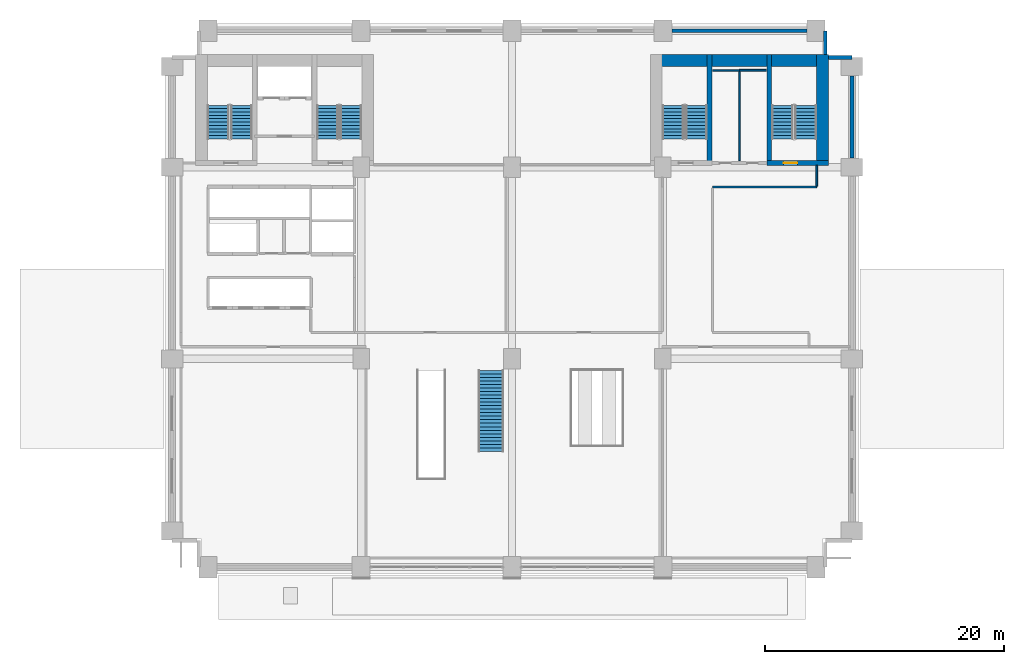
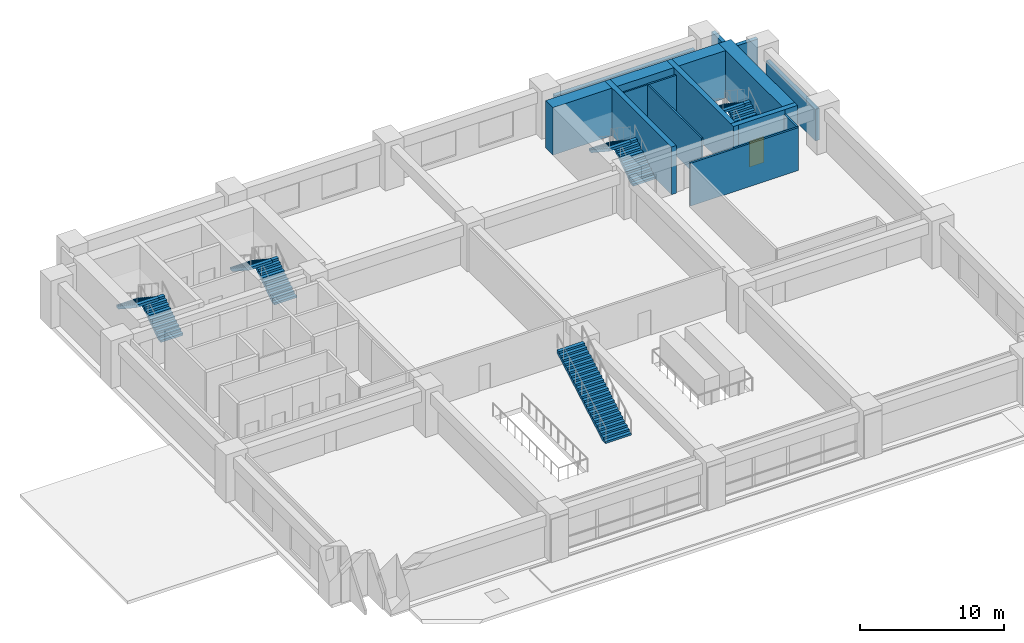
# One storey, part 7 of 11: 14 walls, 9 stair flights, 1 door, 1 opening, 5 elements without a shape of their own.
"""IFC4 building model written with IfcOpenShell, lengths in metres."""

from ifc_helpers import new_model, si_unit, direction, frame, frame_2d, origin, place, context, subcontext, project, spatial, polyline, rectangle, outline, extrude, material, layer, layer_set, type_object, element, fill, aggregate, save


model = new_model("IFC4")

# Units and contexts
model_context = context("Model", 3, precision=1e-05, world=origin(), true_north=direction((0.0, 1.0)))
body_context = subcontext(model_context, "Body", "Model", "MODEL_VIEW")
ifc_project = project(units=[si_unit("LENGTHUNIT", "METRE"), si_unit("AREAUNIT", "SQUARE_METRE"), si_unit("VOLUMEUNIT", "CUBIC_METRE"), si_unit("PLANEANGLEUNIT", "RADIAN"), si_unit("MASSUNIT", "GRAM", prefix="KILO")], contexts=[model_context])

# Site, building, storey
site_placement = place(None, origin())
site = spatial("IfcSite", under=ifc_project, at=site_placement, CompositionType="ELEMENT")
building_placement = place(site_placement, origin())
building = spatial("IfcBuilding", under=site, at=building_placement, Name="Sulina Concourse Tower", CompositionType="ELEMENT")
storey_placement = place(building_placement, frame((0.0, 0.0, 5.39990234375)))
storey = spatial("IfcBuildingStorey", under=building, at=storey_placement, Name="L01", CompositionType="ELEMENT", Elevation=5.39990234375)

# Walls
ifc_material_1 = material(Name="Gypsum board on steel stud", Category="steel")
ifc_layer_1 = layer(ifc_material_1, 0.14990234375)
ifc_layer_set_1 = layer_set([ifc_layer_1], Name="Gypsum board on steel stud")
wall_type_1 = type_object("IfcWallType", Name="Inter-Tenancy Acoustic Partition 150mm", PredefinedType="PARTITIONING", material=ifc_layer_set_1)
wall_1_placement = place(storey_placement, frame((45.75, 32.35009765625, 0.0), z_axis=(0.0, 0.0, 1.0), x_axis=(1.0, 0.0, 0.0)))
element("IfcWall", 1, at=wall_1_placement, inside=storey, type_object=wall_type_1, Name="L01 interior partition 014", PredefinedType="PARTITIONING", context=body_context, shape_type="SweptSolid", body=[
    extrude(rectangle(XDim=8.699951171875, YDim=0.14990234375, at=frame_2d((4.35009765625, 0.0))), origin(), (0.0, 0.0, 1.0), 3.650146484375),
])
wall_2_placement = place(storey_placement, frame((48.0, 42.10009765625, 0.0), z_axis=(0.0, 0.0, 1.0), x_axis=(1.0, 0.0, 0.0)))
element("IfcWall", 2, at=wall_2_placement, inside=storey, type_object=wall_type_1, Name="L01 interior partition 019", PredefinedType="PARTITIONING", context=body_context, shape_type="SweptSolid", body=[
    extrude(rectangle(XDim=2.25, YDim=0.14990234375, at=frame_2d((1.125, 0.0))), origin(), (0.0, 0.0, 1.0), 3.650146484375),
])
wall_3_placement = place(storey_placement, frame((54.449951171875, 32.425048828125, 0.0), z_axis=(0.0, 0.0, 1.0), x_axis=(0.0, 1.0, 0.0)))
element("IfcWall", 3, at=wall_3_placement, inside=storey, type_object=wall_type_1, Name="L01 interior partition 037", PredefinedType="PARTITIONING", context=body_context, shape_type="SweptSolid", body=[
    extrude(rectangle(XDim=1.724853515625, YDim=0.14990234375, at=frame_2d((0.8623046875, 0.0))), origin(), (0.0, 0.0, 1.0), 3.650146484375),
])
ifc_material_2 = material(Name="Precast concrete C50/60", Category="concrete")
ifc_layer_2 = layer(ifc_material_2, 0.320068359375)
ifc_layer_set_2 = layer_set([ifc_layer_2], Name="Precast concrete C50/60")
wall_type_2 = type_object("IfcWallType", Name="Lower Precast Masonry-Frame Facade Wall 320mm", PredefinedType="SOLIDWALL", material=ifc_layer_set_2)
wall_4_placement = place(storey_placement, frame((42.3701171875, 45.39990234375, 0.0), z_axis=(0.0, 0.0, 1.0), x_axis=(1.0, 0.0, 0.0)))
element("IfcWall", 4, at=wall_4_placement, inside=storey, type_object=wall_type_2, Name="L01 exterior precast wall N4", PredefinedType="SOLIDWALL", context=body_context, shape_type="SweptSolid", body=[
    extrude(rectangle(XDim=11.259765625, YDim=0.320068359375, at=frame_2d((5.6298828125, 0.0))), origin(), (0.0, 0.0, 1.0), 2.7001953125),
])
wall_5_placement = place(storey_placement, frame((57.39990234375, 41.6298828125, 0.0), z_axis=(0.0, 0.0, 1.0), x_axis=(0.0, -1.0, 0.0)))
element("IfcWall", 5, at=wall_5_placement, inside=storey, type_object=wall_type_2, Name="L01 exterior precast wall E3", PredefinedType="SOLIDWALL", context=body_context, shape_type="SweptSolid", body=[
    extrude(rectangle(XDim=6.85986328125, YDim=0.320068359375, at=frame_2d((3.429931640625, 0.0))), origin(), (0.0, 0.0, 1.0), 2.7001953125),
])
wall_6_placement = place(storey_placement, frame((55.169921875, 45.39990234375, 0.0), z_axis=(0.0, 0.0, 1.0), x_axis=(0.0, -1.0, 0.0)))
element("IfcWall", 6, at=wall_6_placement, inside=storey, type_object=wall_type_2, Name="L01 exterior precast wall CNE1", PredefinedType="SOLIDWALL", context=body_context, shape_type="SweptSolid", body=[
    extrude(rectangle(XDim=1.96484375, YDim=0.320068359375, at=frame_2d((0.982421875, 0.0))), origin(), (0.0, 0.0, 1.0), 3.650146484375),
])
wall_7_placement = place(storey_placement, frame((55.455078125, 43.169921875, 0.0), z_axis=(0.0, 0.0, 1.0), x_axis=(1.0, 0.0, 0.0)))
element("IfcWall", 7, at=wall_7_placement, inside=storey, type_object=wall_type_2, Name="L01 exterior precast wall CNE2", PredefinedType="SOLIDWALL", context=body_context, shape_type="SweptSolid", body=[
    extrude(rectangle(XDim=1.94482421875, YDim=0.320068359375, at=frame_2d((0.972412109375, 0.0))), origin(), (0.0, 0.0, 1.0), 3.650146484375),
])
ifc_material_3 = material(Name="Concrete C60/75", Category="concrete")
ifc_layer_3 = layer(ifc_material_3, 0.39990234375)
ifc_layer_set_3 = layer_set([ifc_layer_3], Name="Concrete C60/75")
wall_type_3 = type_object("IfcWallType", Name="Protected Stair Core Shear Wall 400mm", PredefinedType="SHEAR", material=ifc_layer_set_3)
wall_8_placement = place(storey_placement, frame((45.510009765625, 34.14990234375, 0.0), z_axis=(0.0, 0.0, 1.0), x_axis=(0.0, 1.0, 0.0)))
element("IfcWall", 8, at=wall_8_placement, inside=storey, type_object=wall_type_3, Name="L01 east core shear wall SW-ST3", PredefinedType="SHEAR", context=body_context, shape_type="SweptSolid", body=[
    extrude(rectangle(XDim=9.280029296875, YDim=0.39990234375, at=frame_2d((4.64013671875, 0.0))), origin(), (0.0, 0.0, 1.0), 4.050048828125),
])

# Wall, opening, door
wall_9_placement = place(storey_placement, frame((50.2900390625, 34.35009765625, 0.0), z_axis=(0.0, 0.0, 1.0), x_axis=(1.0, 0.0, 0.0)))
wall_9 = element("IfcWall", 9, at=wall_9_placement, inside=storey, type_object=wall_type_3, Name="L01 east core shear wall CW-ES2", PredefinedType="SHEAR", context=body_context, shape_type="SweptSolid", body=[
    extrude(rectangle(XDim=5.159912109375, YDim=0.39990234375, at=frame_2d((2.580078125, 0.0))), origin(), (0.0, 0.0, 1.0), 4.050048828125),
])
opening_placement = place(wall_9_placement, frame((1.39990234375, 0.0, 0.0)))
opening = element("IfcOpeningElement", 10, at=opening_placement, cuts=wall_9, Name="Opening DR-60", PredefinedType="OPENING", context=body_context, shape_type="SweptSolid", body=[
    extrude(rectangle(XDim=1.14990234375, YDim=2.199951171875, at=frame_2d((0.574951171875, 1.10009765625))), frame((0.0, 0.2099609375, 0.0), z_axis=(0.0, -1.0, 0.0), x_axis=(1.0, 0.0, 0.0)), (0.0, 0.0, 1.0), 0.419921875),
])
ifc_material_4 = material(Name="Galvanised steel acoustic fire leaf", Category="steel")
ifc_layer_4 = layer(ifc_material_4, 0.054931640625)
ifc_layer_set_4 = layer_set([ifc_layer_4], Name="Galvanised steel acoustic fire leaf")
door_type = type_object("IfcDoorType", Name="Protected Exit Stair Fire Door 1150x2200", OperationType="NOTDEFINED", PredefinedType="DOOR", material=ifc_layer_set_4)
door_placement = place(opening_placement, origin())
door = element("IfcDoor", 11, at=door_placement, inside=storey, type_object=door_type, Name="L01 stair ST-4 south lobby fire door", OperationType="SINGLE_SWING_RIGHT", OverallHeight=2.199951171875, OverallWidth=1.14990234375, PredefinedType="DOOR", context=body_context, shape_type="SweptSolid", body=[
    extrude(rectangle(XDim=1.14990234375, YDim=2.199951171875, at=frame_2d((0.574951171875, 1.10009765625))), frame((0.0, 0.02490234375, 0.0), z_axis=(0.0, -1.0, 0.0), x_axis=(1.0, 0.0, 0.0)), (0.0, 0.0, 1.0), 0.050048828125),
])
fill(opening, door)

# Walls
wall_10_placement = place(storey_placement, frame((50.489990234375, 34.14990234375, 0.0), z_axis=(0.0, 0.0, 1.0), x_axis=(0.0, 1.0, 0.0)))
element("IfcWall", 12, at=wall_10_placement, inside=storey, type_object=wall_type_3, Name="L01 east core shear wall SW-ST4", PredefinedType="SHEAR", context=body_context, shape_type="SweptSolid", body=[
    extrude(rectangle(XDim=9.280029296875, YDim=0.39990234375, at=frame_2d((4.64013671875, 0.0))), origin(), (0.0, 0.0, 1.0), 4.050048828125),
])
ifc_material_5 = material(Name="Concrete C80/95", Category="concrete")
ifc_layer_5 = layer(ifc_material_5, 1.0)
ifc_layer_set_5 = layer_set([ifc_layer_5], Name="Concrete C80/95")
wall_type_4 = type_object("IfcWallType", Name="Rear Core Shear Wall 1000mm", PredefinedType="SHEAR", material=ifc_layer_set_5)
wall_11_placement = place(storey_placement, frame((40.550048828125, 42.929931640625, 0.0), z_axis=(0.0, 0.0, 1.0), x_axis=(1.0, 0.0, 0.0)))
element("IfcWall", 13, at=wall_11_placement, inside=storey, type_object=wall_type_4, Name="L01 east core shear wall CW-EN", PredefinedType="SHEAR", context=body_context, shape_type="SweptSolid", body=[
    extrude(rectangle(XDim=14.89990234375, YDim=1.0, at=frame_2d((7.449951171875, 0.0))), origin(), (0.0, 0.0, 1.0), 4.050048828125),
])
wall_12_placement = place(storey_placement, frame((54.949951171875, 34.14990234375, 0.0), z_axis=(0.0, 0.0, 1.0), x_axis=(0.0, 1.0, 0.0)))
element("IfcWall", 14, at=wall_12_placement, inside=storey, type_object=wall_type_4, Name="L01 east core shear wall CW-EE", PredefinedType="SHEAR", context=body_context, shape_type="SweptSolid", body=[
    extrude(rectangle(XDim=9.280029296875, YDim=1.0, at=frame_2d((4.64013671875, 0.0))), origin(), (0.0, 0.0, 1.0), 4.050048828125),
])
ifc_material_6 = material(Name="Gypsum board on steel stud", Category="steel")
ifc_layer_6 = layer(ifc_material_6, 0.125)
ifc_layer_set_6 = layer_set([ifc_layer_6], Name="Gypsum board on steel stud")
wall_type_5 = type_object("IfcWallType", Name="Wet-Area Moisture-Resistant Partition 125mm", PredefinedType="PARTITIONING", material=ifc_layer_set_6)
wall_13_placement = place(storey_placement, frame((45.75, 42.10009765625, 0.0), z_axis=(0.0, 0.0, 1.0), x_axis=(1.0, 0.0, 0.0)))
element("IfcWall", 15, at=wall_13_placement, inside=storey, type_object=wall_type_5, Name="L01 interior partition 018", PredefinedType="PARTITIONING", context=body_context, shape_type="SweptSolid", body=[
    extrude(rectangle(XDim=2.25, YDim=0.125, at=frame_2d((1.125, 0.0))), origin(), (0.0, 0.0, 1.0), 3.650146484375),
])
wall_14_placement = place(storey_placement, frame((48.0, 34.550048828125, 0.0), z_axis=(0.0, 0.0, 1.0), x_axis=(0.0, 1.0, 0.0)))
element("IfcWall", 16, at=wall_14_placement, inside=storey, type_object=wall_type_5, Name="L01 interior partition 035", PredefinedType="PARTITIONING", context=body_context, shape_type="SweptSolid", body=[
    extrude(rectangle(XDim=7.474853515625, YDim=0.125, at=frame_2d((3.7373046875, 0.0))), origin(), (0.0, 0.0, 1.0), 3.650146484375),
])

# Stair, stair flights
ifc_material_7 = material(Name="Concrete C50/60", Category="concrete")
stair_type_1 = type_object("IfcStairType", Name="Portal & Podium Core Exit Stair 1820mm", PredefinedType="HALF_TURN_STAIR", material=ifc_material_7)
stair_1_placement = place(storey_placement, origin())
stair_1 = element("IfcStair", 17, at=stair_1_placement, inside=storey, type_object=stair_type_1, Name="L01 ST-3", PredefinedType="HALF_TURN_STAIR")
ifc_material_8 = material(Name="Concrete C50/60", Category="concrete")
stair_flight_type_1 = type_object("IfcStairFlightType", Name="Portal & Podium Core Exit Stair 1820mm Flight", PredefinedType="STRAIGHT", material=ifc_material_8)
stair_flight_1_placement = place(storey_placement, frame((44.405029296875, 36.375, 0.0), z_axis=(0.0, 0.0, 1.0), x_axis=(0.0, 1.0, 0.0)))
stair_flight_1 = element("IfcStairFlight", 18, at=stair_flight_1_placement, type_object=stair_flight_type_1, Name="ST-3 flight 1", NumberOfRisers=11, NumberOfTreads=10, PredefinedType="STRAIGHT", RiserHeight=0.184090909, TreadLength=0.28, context=body_context, shape_type="SweptSolid", body=[
    extrude(outline(polyline([(0.0, 0.0), (0.0, 0.18408203125), (0.280029296875, 0.18408203125), (0.280029296875, 0.3681640625), (0.56005859375, 0.3681640625), (0.56005859375, 0.55224609375), (0.840087890625, 0.55224609375), (0.840087890625, 0.736328125), (1.1201171875, 0.736328125), (1.1201171875, 0.92041015625), (1.39990234375, 0.92041015625), (1.39990234375, 1.1044921875), (1.679931640625, 1.1044921875), (1.679931640625, 1.28857421875), (1.9599609375, 1.28857421875), (1.9599609375, 1.47265625), (2.239990234375, 1.47265625), (2.239990234375, 1.65673828125), (2.52001953125, 1.65673828125), (2.52001953125, 1.8408203125), (2.800048828125, 1.8408203125), (2.800048828125, 2.02490234375), (2.800048828125, 1.62548828125), (0.32763671875, 0.0), (0.0, 0.0)])), frame((0.0, 0.89990234375, 0.0), z_axis=(0.0, -1.0, 0.0), x_axis=(1.0, 0.0, 0.0)), (0.0, 0.0, 1.0), 1.800048828125),
])
stair_flight_2_placement = place(storey_placement, frame((42.455078125, 39.175048828125, 2.025146484375), z_axis=(0.0, 0.0, 1.0), x_axis=(0.0, -1.0, 0.0)))
stair_flight_2 = element("IfcStairFlight", 19, at=stair_flight_2_placement, type_object=stair_flight_type_1, Name="ST-3 flight 2", NumberOfRisers=11, NumberOfTreads=10, PredefinedType="STRAIGHT", RiserHeight=0.184090909, TreadLength=0.28, context=body_context, shape_type="SweptSolid", body=[
    extrude(outline(polyline([(0.0, 0.0), (0.0, 0.18408203125), (0.280029296875, 0.18408203125), (0.280029296875, 0.3681640625), (0.56005859375, 0.3681640625), (0.56005859375, 0.55224609375), (0.840087890625, 0.55224609375), (0.840087890625, 0.736328125), (1.1201171875, 0.736328125), (1.1201171875, 0.92041015625), (1.39990234375, 0.92041015625), (1.39990234375, 1.1044921875), (1.679931640625, 1.1044921875), (1.679931640625, 1.28857421875), (1.9599609375, 1.28857421875), (1.9599609375, 1.47265625), (2.239990234375, 1.47265625), (2.239990234375, 1.65673828125), (2.52001953125, 1.65673828125), (2.52001953125, 1.8408203125), (2.800048828125, 1.8408203125), (2.800048828125, 2.02490234375), (2.800048828125, 1.62548828125), (0.32763671875, 0.0), (0.0, 0.0)])), frame((0.0, 0.89990234375, 0.0), z_axis=(0.0, -1.0, 0.0), x_axis=(1.0, 0.0, 0.0)), (0.0, 0.0, 1.0), 1.800048828125),
])
aggregate(stair_1, [stair_flight_1, stair_flight_2])

stair_2_placement = place(storey_placement, origin())
stair_2 = element("IfcStair", 20, at=stair_2_placement, inside=storey, type_object=stair_type_1, Name="L01 ST-4", PredefinedType="HALF_TURN_STAIR")
stair_flight_3_placement = place(storey_placement, frame((53.544921875, 36.375, 0.0), z_axis=(0.0, 0.0, 1.0), x_axis=(0.0, 1.0, 0.0)))
stair_flight_3 = element("IfcStairFlight", 21, at=stair_flight_3_placement, type_object=stair_flight_type_1, Name="ST-4 flight 1", NumberOfRisers=11, NumberOfTreads=10, PredefinedType="STRAIGHT", RiserHeight=0.184090909, TreadLength=0.28, context=body_context, shape_type="SweptSolid", body=[
    extrude(outline(polyline([(0.0, 0.0), (0.0, 0.18408203125), (0.280029296875, 0.18408203125), (0.280029296875, 0.3681640625), (0.56005859375, 0.3681640625), (0.56005859375, 0.55224609375), (0.840087890625, 0.55224609375), (0.840087890625, 0.736328125), (1.1201171875, 0.736328125), (1.1201171875, 0.92041015625), (1.39990234375, 0.92041015625), (1.39990234375, 1.1044921875), (1.679931640625, 1.1044921875), (1.679931640625, 1.28857421875), (1.9599609375, 1.28857421875), (1.9599609375, 1.47265625), (2.239990234375, 1.47265625), (2.239990234375, 1.65673828125), (2.52001953125, 1.65673828125), (2.52001953125, 1.8408203125), (2.800048828125, 1.8408203125), (2.800048828125, 2.02490234375), (2.800048828125, 1.62548828125), (0.32763671875, 0.0), (0.0, 0.0)])), frame((0.0, 0.89990234375, 0.0), z_axis=(0.0, -1.0, 0.0), x_axis=(1.0, 0.0, 0.0)), (0.0, 0.0, 1.0), 1.800048828125),
])
stair_flight_4_placement = place(storey_placement, frame((51.594970703125, 39.175048828125, 2.025146484375), z_axis=(0.0, 0.0, 1.0), x_axis=(0.0, -1.0, 0.0)))
stair_flight_4 = element("IfcStairFlight", 22, at=stair_flight_4_placement, type_object=stair_flight_type_1, Name="ST-4 flight 2", NumberOfRisers=11, NumberOfTreads=10, PredefinedType="STRAIGHT", RiserHeight=0.184090909, TreadLength=0.28, context=body_context, shape_type="SweptSolid", body=[
    extrude(outline(polyline([(0.0, 0.0), (0.0, 0.18408203125), (0.280029296875, 0.18408203125), (0.280029296875, 0.3681640625), (0.56005859375, 0.3681640625), (0.56005859375, 0.55224609375), (0.840087890625, 0.55224609375), (0.840087890625, 0.736328125), (1.1201171875, 0.736328125), (1.1201171875, 0.92041015625), (1.39990234375, 0.92041015625), (1.39990234375, 1.1044921875), (1.679931640625, 1.1044921875), (1.679931640625, 1.28857421875), (1.9599609375, 1.28857421875), (1.9599609375, 1.47265625), (2.239990234375, 1.47265625), (2.239990234375, 1.65673828125), (2.52001953125, 1.65673828125), (2.52001953125, 1.8408203125), (2.800048828125, 1.8408203125), (2.800048828125, 2.02490234375), (2.800048828125, 1.62548828125), (0.32763671875, 0.0), (0.0, 0.0)])), frame((0.0, 0.89990234375, 0.0), z_axis=(0.0, -1.0, 0.0), x_axis=(1.0, 0.0, 0.0)), (0.0, 0.0, 1.0), 1.800048828125),
])
aggregate(stair_2, [stair_flight_3, stair_flight_4])

ifc_material_9 = material(Name="Concrete C50/60", Category="concrete")
stair_type_2 = type_object("IfcStairType", Name="Primary Core Dog-Leg Exit Stair 1800mm", PredefinedType="HALF_TURN_STAIR", material=ifc_material_9)
stair_3_placement = place(storey_placement, origin())
stair_3 = element("IfcStair", 23, at=stair_3_placement, inside=storey, type_object=stair_type_2, Name="L01 ST-1", PredefinedType="HALF_TURN_STAIR")
ifc_material_10 = material(Name="Concrete C50/60", Category="concrete")
stair_flight_type_2 = type_object("IfcStairFlightType", Name="Primary Core Dog-Leg Exit Stair 1800mm Flight", PredefinedType="STRAIGHT", material=ifc_material_10)
stair_flight_5_placement = place(storey_placement, frame((6.405029296875, 36.375, 0.0), z_axis=(0.0, 0.0, 1.0), x_axis=(0.0, 1.0, 0.0)))
stair_flight_5 = element("IfcStairFlight", 24, at=stair_flight_5_placement, type_object=stair_flight_type_2, Name="ST-1 flight 1", NumberOfRisers=11, NumberOfTreads=10, PredefinedType="STRAIGHT", RiserHeight=0.184090909, TreadLength=0.28, context=body_context, shape_type="SweptSolid", body=[
    extrude(outline(polyline([(0.0, 0.0), (0.0, 0.18408203125), (0.280029296875, 0.18408203125), (0.280029296875, 0.3681640625), (0.56005859375, 0.3681640625), (0.56005859375, 0.55224609375), (0.840087890625, 0.55224609375), (0.840087890625, 0.736328125), (1.1201171875, 0.736328125), (1.1201171875, 0.92041015625), (1.39990234375, 0.92041015625), (1.39990234375, 1.1044921875), (1.679931640625, 1.1044921875), (1.679931640625, 1.28857421875), (1.9599609375, 1.28857421875), (1.9599609375, 1.47265625), (2.239990234375, 1.47265625), (2.239990234375, 1.65673828125), (2.52001953125, 1.65673828125), (2.52001953125, 1.8408203125), (2.800048828125, 1.8408203125), (2.800048828125, 2.02490234375), (2.800048828125, 1.62548828125), (0.32763671875, 0.0), (0.0, 0.0)])), frame((0.0, 0.89990234375, 0.0), z_axis=(0.0, -1.0, 0.0), x_axis=(1.0, 0.0, 0.0)), (0.0, 0.0, 1.0), 1.800048828125),
])
stair_flight_6_placement = place(storey_placement, frame((4.455078125, 39.175048828125, 2.025146484375), z_axis=(0.0, 0.0, 1.0), x_axis=(0.0, -1.0, 0.0)))
stair_flight_6 = element("IfcStairFlight", 25, at=stair_flight_6_placement, type_object=stair_flight_type_2, Name="ST-1 flight 2", NumberOfRisers=11, NumberOfTreads=10, PredefinedType="STRAIGHT", RiserHeight=0.184090909, TreadLength=0.28, context=body_context, shape_type="SweptSolid", body=[
    extrude(outline(polyline([(0.0, 0.0), (0.0, 0.18408203125), (0.280029296875, 0.18408203125), (0.280029296875, 0.3681640625), (0.56005859375, 0.3681640625), (0.56005859375, 0.55224609375), (0.840087890625, 0.55224609375), (0.840087890625, 0.736328125), (1.1201171875, 0.736328125), (1.1201171875, 0.92041015625), (1.39990234375, 0.92041015625), (1.39990234375, 1.1044921875), (1.679931640625, 1.1044921875), (1.679931640625, 1.28857421875), (1.9599609375, 1.28857421875), (1.9599609375, 1.47265625), (2.239990234375, 1.47265625), (2.239990234375, 1.65673828125), (2.52001953125, 1.65673828125), (2.52001953125, 1.8408203125), (2.800048828125, 1.8408203125), (2.800048828125, 2.02490234375), (2.800048828125, 1.62548828125), (0.32763671875, 0.0), (0.0, 0.0)])), frame((0.0, 0.89990234375, 0.0), z_axis=(0.0, -1.0, 0.0), x_axis=(1.0, 0.0, 0.0)), (0.0, 0.0, 1.0), 1.800048828125),
])
aggregate(stair_3, [stair_flight_5, stair_flight_6])

stair_4_placement = place(storey_placement, origin())
stair_4 = element("IfcStair", 26, at=stair_4_placement, inside=storey, type_object=stair_type_2, Name="L01 ST-2", PredefinedType="HALF_TURN_STAIR")
stair_flight_7_placement = place(storey_placement, frame((15.544921875, 36.375, 0.0), z_axis=(0.0, 0.0, 1.0), x_axis=(0.0, 1.0, 0.0)))
stair_flight_7 = element("IfcStairFlight", 27, at=stair_flight_7_placement, type_object=stair_flight_type_2, Name="ST-2 flight 1", NumberOfRisers=11, NumberOfTreads=10, PredefinedType="STRAIGHT", RiserHeight=0.184090909, TreadLength=0.28, context=body_context, shape_type="SweptSolid", body=[
    extrude(outline(polyline([(0.0, 0.0), (0.0, 0.18408203125), (0.280029296875, 0.18408203125), (0.280029296875, 0.3681640625), (0.56005859375, 0.3681640625), (0.56005859375, 0.55224609375), (0.840087890625, 0.55224609375), (0.840087890625, 0.736328125), (1.1201171875, 0.736328125), (1.1201171875, 0.92041015625), (1.39990234375, 0.92041015625), (1.39990234375, 1.1044921875), (1.679931640625, 1.1044921875), (1.679931640625, 1.28857421875), (1.9599609375, 1.28857421875), (1.9599609375, 1.47265625), (2.239990234375, 1.47265625), (2.239990234375, 1.65673828125), (2.52001953125, 1.65673828125), (2.52001953125, 1.8408203125), (2.800048828125, 1.8408203125), (2.800048828125, 2.02490234375), (2.800048828125, 1.62548828125), (0.32763671875, 0.0), (0.0, 0.0)])), frame((0.0, 0.89990234375, 0.0), z_axis=(0.0, -1.0, 0.0), x_axis=(1.0, 0.0, 0.0)), (0.0, 0.0, 1.0), 1.800048828125),
])
stair_flight_8_placement = place(storey_placement, frame((13.594970703125, 39.175048828125, 2.025146484375), z_axis=(0.0, 0.0, 1.0), x_axis=(0.0, -1.0, 0.0)))
stair_flight_8 = element("IfcStairFlight", 28, at=stair_flight_8_placement, type_object=stair_flight_type_2, Name="ST-2 flight 2", NumberOfRisers=11, NumberOfTreads=10, PredefinedType="STRAIGHT", RiserHeight=0.184090909, TreadLength=0.28, context=body_context, shape_type="SweptSolid", body=[
    extrude(outline(polyline([(0.0, 0.0), (0.0, 0.18408203125), (0.280029296875, 0.18408203125), (0.280029296875, 0.3681640625), (0.56005859375, 0.3681640625), (0.56005859375, 0.55224609375), (0.840087890625, 0.55224609375), (0.840087890625, 0.736328125), (1.1201171875, 0.736328125), (1.1201171875, 0.92041015625), (1.39990234375, 0.92041015625), (1.39990234375, 1.1044921875), (1.679931640625, 1.1044921875), (1.679931640625, 1.28857421875), (1.9599609375, 1.28857421875), (1.9599609375, 1.47265625), (2.239990234375, 1.47265625), (2.239990234375, 1.65673828125), (2.52001953125, 1.65673828125), (2.52001953125, 1.8408203125), (2.800048828125, 1.8408203125), (2.800048828125, 2.02490234375), (2.800048828125, 1.62548828125), (0.32763671875, 0.0), (0.0, 0.0)])), frame((0.0, 0.89990234375, 0.0), z_axis=(0.0, -1.0, 0.0), x_axis=(1.0, 0.0, 0.0)), (0.0, 0.0, 1.0), 1.800048828125),
])
aggregate(stair_4, [stair_flight_7, stair_flight_8])

# Stair, stair flight
ifc_material_11 = material(Name="Concrete C50/60", Category="concrete")
stair_type_3 = type_object("IfcStairType", Name="Station Concourse Feature Stair 2100mm", PredefinedType="HALF_TURN_STAIR", material=ifc_material_11)
stair_5_placement = place(storey_placement, origin())
stair_5 = element("IfcStair", 29, at=stair_5_placement, inside=storey, type_object=stair_type_3, Name="L01 station concourse feature stair ST-CONC-2", PredefinedType="HALF_TURN_STAIR")
ifc_material_12 = material(Name="Concrete C50/60", Category="concrete")
stair_flight_type_3 = type_object("IfcStairFlightType", Name="Station Concourse Feature Stair 2100mm Flight", PredefinedType="STRAIGHT", material=ifc_material_12)
stair_flight_9_placement = place(storey_placement, frame((27.25, 10.2548828125, 0.0), z_axis=(0.0, 0.0, 1.0), x_axis=(0.0, 1.0, 0.0)))
stair_flight_9 = element("IfcStairFlight", 30, at=stair_flight_9_placement, type_object=stair_flight_type_3, Name="ST-T3 flight 1", NumberOfRisers=24, NumberOfTreads=23, PredefinedType="STRAIGHT", RiserHeight=0.16875, TreadLength=0.295, context=body_context, shape_type="SweptSolid", body=[
    extrude(outline(polyline([(0.0, 0.0), (0.0, 0.168701171875), (0.294921875, 0.168701171875), (0.294921875, 0.33740234375), (0.590087890625, 0.33740234375), (0.590087890625, 0.50634765625), (0.885009765625, 0.50634765625), (0.885009765625, 0.675048828125), (1.179931640625, 0.675048828125), (1.179931640625, 0.84375), (1.47509765625, 0.84375), (1.47509765625, 1.012451171875), (1.77001953125, 1.012451171875), (1.77001953125, 1.18115234375), (2.06494140625, 1.18115234375), (2.06494140625, 1.35009765625), (2.360107421875, 1.35009765625), (2.360107421875, 1.518798828125), (2.655029296875, 1.518798828125), (2.655029296875, 1.6875), (2.949951171875, 1.6875), (2.949951171875, 1.856201171875), (3.2451171875, 1.856201171875), (3.2451171875, 2.02490234375), (3.5400390625, 2.02490234375), (3.5400390625, 2.19384765625), (3.8349609375, 2.19384765625), (3.8349609375, 2.362548828125), (4.1298828125, 2.362548828125), (4.1298828125, 2.53125), (4.425048828125, 2.53125), (4.425048828125, 2.699951171875), (4.719970703125, 2.699951171875), (4.719970703125, 2.86865234375), (5.014892578125, 2.86865234375), (5.014892578125, 3.03759765625), (5.31005859375, 3.03759765625), (5.31005859375, 3.206298828125), (5.60498046875, 3.206298828125), (5.60498046875, 3.375), (5.89990234375, 3.375), (5.89990234375, 3.543701171875), (6.195068359375, 3.543701171875), (6.195068359375, 3.71240234375), (6.489990234375, 3.71240234375), (6.489990234375, 3.88134765625), (6.784912109375, 3.88134765625), (6.784912109375, 4.050048828125), (6.784912109375, 3.65087890625), (0.402587890625, 0.0), (0.0, 0.0)])), frame((0.0, 1.050048828125, 0.0), z_axis=(0.0, -1.0, 0.0), x_axis=(1.0, 0.0, 0.0)), (0.0, 0.0, 1.0), 2.10009765625),
])
aggregate(stair_5, [stair_flight_9])

save(model, "model.ifc")
